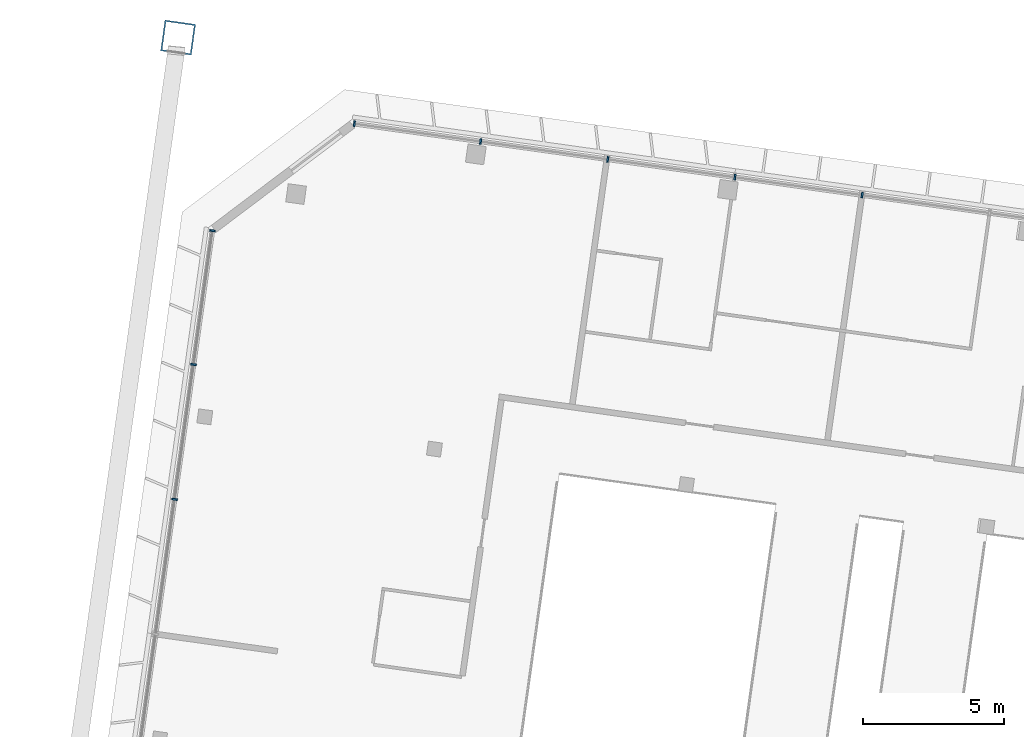
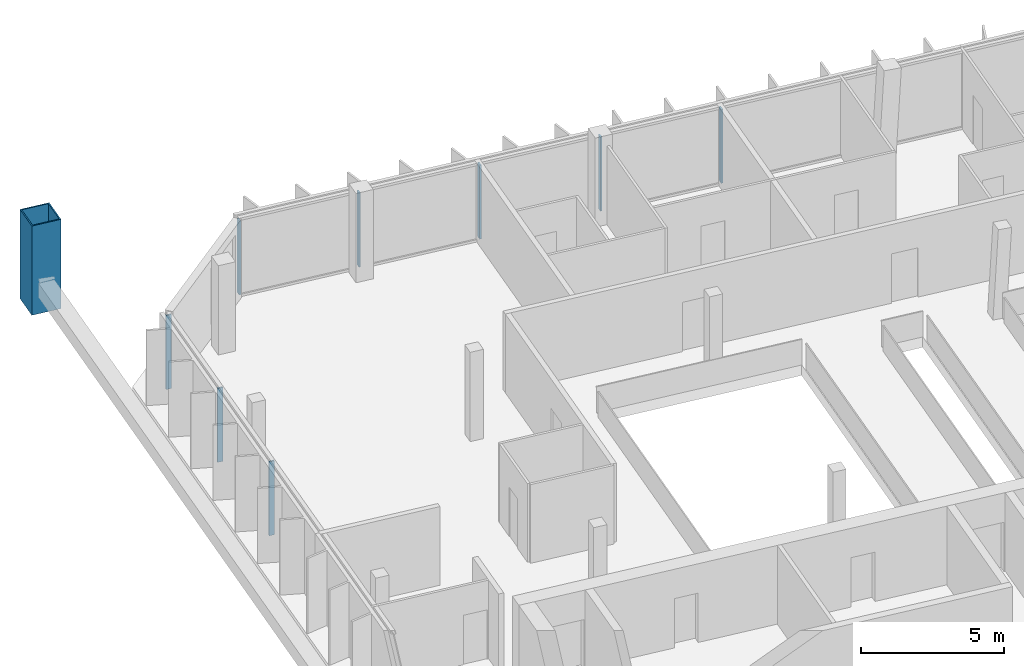
# One storey, part 6 of 26: 9 members, 2 elements without a shape of their own.
"""IFC4 building model written with IfcOpenShell, lengths in metres."""

from ifc_helpers import new_model, si_unit, direction, frame, origin, origin_2d, place, context, subcontext, project, spatial, rectangle, hollow_rectangle, extrude, material, material_profile, profile_set, type_object, element, aggregate, save


model = new_model("IFC4")

# Units and contexts
model_context = context("Model", 3, precision=1e-05, world=origin(), true_north=direction((0.0, 1.0)))
body_context = subcontext(model_context, "Body", "Model", "MODEL_VIEW")
ifc_project = project(units=[si_unit("LENGTHUNIT", "METRE"), si_unit("AREAUNIT", "SQUARE_METRE"), si_unit("VOLUMEUNIT", "CUBIC_METRE"), si_unit("PLANEANGLEUNIT", "RADIAN"), si_unit("MASSUNIT", "GRAM", prefix="KILO")], contexts=[model_context])

# Site, building, storey
site_placement = place(None, origin())
site = spatial("IfcSite", under=ifc_project, at=site_placement, CompositionType="ELEMENT")
building_placement = place(site_placement, origin())
building = spatial("IfcBuilding", under=site, at=building_placement, Name="Mirante Cascada Hotel Towers", CompositionType="ELEMENT")
storey_placement = place(building_placement, frame((0.0, 0.0, 216.6)))
storey = spatial("IfcBuildingStorey", under=building, at=storey_placement, Name="L51", CompositionType="ELEMENT", Elevation=216.6)

# Member
ifc_material_1 = material(Name="Steel ASTM A572 Gr 50", Category="steel")
ifc_material_profile_1 = material_profile(ifc_material_1, hollow_rectangle(XDim=1.1, YDim=1.1, WallThickness=0.05, at=origin_2d()), Name="Box post 1100x1100x50 ASTM A572 Gr 50")
ifc_profile_set_1 = profile_set([ifc_material_profile_1], Name="Steel ASTM A572 Gr 50")
member_type_1 = type_object("IfcMemberType", Name="Box post 1100x1100x50 ASTM A572 Gr 50", PredefinedType="POST", material=ifc_profile_set_1)
member_1_placement = place(storey_placement, frame((-73.62, 25.3368, 0.0), z_axis=(0.0, 0.0, 1.0), x_axis=(-0.9902681, 0.1391731, 0.0)))
element("IfcMember", 1, at=member_1_placement, inside=storey, type_object=member_type_1, Name="Mega column MP3 T1 L51", PredefinedType="POST", context=body_context, shape_type="SweptSolid", body=[
    extrude(hollow_rectangle(XDim=1.1, YDim=1.1, WallThickness=0.05, at=origin_2d()), origin(), (0.0, 0.0, 1.0), 3.8),
])

# Curtain wall, members
ifc_material_2 = material(Name="Aluminium mullion and transom frame with clear laminated glass", Category="aluminium")
curtain_wall_type_1 = type_object("IfcCurtainWallType", Name="Ribbon curtain wall ECW1", PredefinedType="NOTDEFINED", material=ifc_material_2)
curtain_wall_1_placement = place(storey_placement, origin())
curtain_wall_1 = element("IfcCurtainWall", 2, at=curtain_wall_1_placement, inside=storey, type_object=curtain_wall_type_1, Name="Front ribbon wall T1 L51", PredefinedType="NOTDEFINED")
ifc_material_3 = material(Name="Anodised aluminium extrusion", Category="aluminium")
ifc_material_profile_2 = material_profile(ifc_material_3, rectangle(XDim=0.2, YDim=0.065, at=origin_2d()), Name="ECW1 MULLION 65x200")
ifc_profile_set_2 = profile_set([ifc_material_profile_2], Name="Anodised aluminium extrusion")
member_type_2 = type_object("IfcMemberType", Name="ECW1 mullion 65x200", PredefinedType="MULLION", material=ifc_profile_set_2)
member_2_placement = place(storey_placement, frame((-67.3887, 22.2899, 0.1), z_axis=(0.0, 0.0, 1.0), x_axis=(0.1391731, 0.9902681, 0.0)))
member_2 = element("IfcMember", 3, at=member_2_placement, type_object=member_type_2, Name="ECW1 mullion 1", PredefinedType="MULLION", context=body_context, shape_type="SweptSolid", body=[
    extrude(rectangle(XDim=0.2, YDim=0.065, at=origin_2d()), origin(), (0.0, 0.0, 1.0), 3.15),
])
member_3_placement = place(storey_placement, frame((-62.9239, 21.6624, 0.1), z_axis=(0.0, 0.0, 1.0), x_axis=(0.1391731, 0.9902681, 0.0)))
member_3 = element("IfcMember", 4, at=member_3_placement, type_object=member_type_2, Name="ECW1 mullion 2", PredefinedType="MULLION", context=body_context, shape_type="SweptSolid", body=[
    extrude(rectangle(XDim=0.2, YDim=0.065, at=origin_2d()), origin(), (0.0, 0.0, 1.0), 3.15),
])
member_4_placement = place(storey_placement, frame((-58.4268, 21.0304, 0.1), z_axis=(0.0, 0.0, 1.0), x_axis=(0.1391731, 0.9902681, 0.0)))
member_4 = element("IfcMember", 5, at=member_4_placement, type_object=member_type_2, Name="ECW1 mullion 3", PredefinedType="MULLION", context=body_context, shape_type="SweptSolid", body=[
    extrude(rectangle(XDim=0.2, YDim=0.065, at=origin_2d()), origin(), (0.0, 0.0, 1.0), 3.15),
])
member_5_placement = place(storey_placement, frame((-53.9297, 20.3984, 0.1), z_axis=(0.0, 0.0, 1.0), x_axis=(0.1391731, 0.9902681, 0.0)))
member_5 = element("IfcMember", 6, at=member_5_placement, type_object=member_type_2, Name="ECW1 mullion 4", PredefinedType="MULLION", context=body_context, shape_type="SweptSolid", body=[
    extrude(rectangle(XDim=0.2, YDim=0.065, at=origin_2d()), origin(), (0.0, 0.0, 1.0), 3.15),
])
member_6_placement = place(storey_placement, frame((-49.4327, 19.7663, 0.1), z_axis=(0.0, 0.0, 1.0), x_axis=(0.1391731, 0.9902681, 0.0)))
member_6 = element("IfcMember", 7, at=member_6_placement, type_object=member_type_2, Name="ECW1 mullion 5", PredefinedType="MULLION", context=body_context, shape_type="SweptSolid", body=[
    extrude(rectangle(XDim=0.2, YDim=0.065, at=origin_2d()), origin(), (0.0, 0.0, 1.0), 3.15),
])
aggregate(curtain_wall_1, [member_2, member_3, member_4, member_5, member_6])

ifc_material_4 = material(Name="Aluminium mullion and transom frame with clear laminated glass", Category="aluminium")
curtain_wall_type_2 = type_object("IfcCurtainWallType", Name="End ribbon curtain wall ECW2", PredefinedType="NOTDEFINED", material=ifc_material_4)
curtain_wall_2_placement = place(storey_placement, origin())
curtain_wall_2 = element("IfcCurtainWall", 8, at=curtain_wall_2_placement, inside=storey, type_object=curtain_wall_type_2, Name="Outer end wall T1 L51", PredefinedType="NOTDEFINED")
ifc_material_5 = material(Name="Anodised aluminium extrusion", Category="aluminium")
ifc_material_profile_3 = material_profile(ifc_material_5, rectangle(XDim=0.2, YDim=0.065, at=origin_2d()), Name="ECW2 MULLION 65x200")
ifc_profile_set_3 = profile_set([ifc_material_profile_3], Name="Anodised aluminium extrusion")
member_type_3 = type_object("IfcMemberType", Name="ECW2 mullion 65x200", PredefinedType="MULLION", material=ifc_profile_set_3)
member_7_placement = place(storey_placement, frame((-73.7437, 9.0077, 0.1), z_axis=(0.0, 0.0, 1.0), x_axis=(-0.9902681, 0.1391731, 0.0)))
member_7 = element("IfcMember", 9, at=member_7_placement, type_object=member_type_3, Name="ECW2 mullion 5", PredefinedType="MULLION", context=body_context, shape_type="SweptSolid", body=[
    extrude(rectangle(XDim=0.2, YDim=0.065, at=origin_2d()), origin(), (0.0, 0.0, 1.0), 3.15),
])
member_8_placement = place(storey_placement, frame((-73.0739, 13.7735, 0.1), z_axis=(0.0, 0.0, 1.0), x_axis=(-0.9902681, 0.1391731, 0.0)))
member_8 = element("IfcMember", 10, at=member_8_placement, type_object=member_type_3, Name="ECW2 mullion 6", PredefinedType="MULLION", context=body_context, shape_type="SweptSolid", body=[
    extrude(rectangle(XDim=0.2, YDim=0.065, at=origin_2d()), origin(), (0.0, 0.0, 1.0), 3.15),
])
member_9_placement = place(storey_placement, frame((-72.4087, 18.5071, 0.1), z_axis=(0.0, 0.0, 1.0), x_axis=(-0.9902681, 0.1391731, 0.0)))
member_9 = element("IfcMember", 11, at=member_9_placement, type_object=member_type_3, Name="ECW2 mullion 7", PredefinedType="MULLION", context=body_context, shape_type="SweptSolid", body=[
    extrude(rectangle(XDim=0.2, YDim=0.065, at=origin_2d()), origin(), (0.0, 0.0, 1.0), 3.15),
])
aggregate(curtain_wall_2, [member_7, member_8, member_9])

save(model, "model.ifc")
